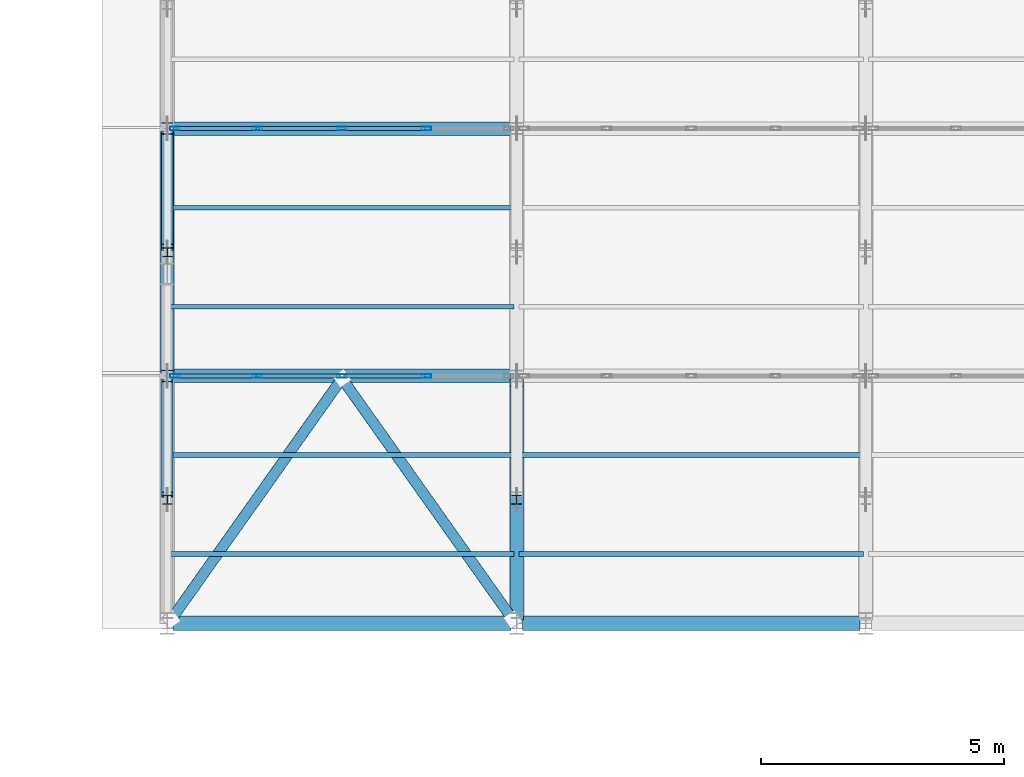
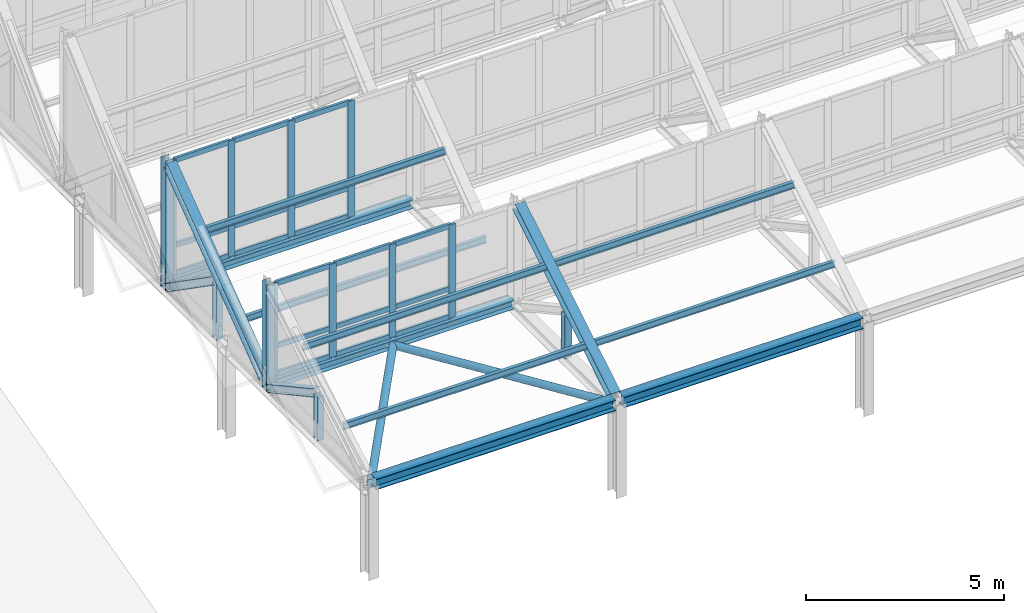
# One storey, part 23 of 157: 43 members, 4 beams, 2 elements without a shape of their own.
"""IFC4 building model written with IfcOpenShell, lengths in metres."""

from ifc_helpers import new_model, si_unit, direction, frame, origin, origin_2d, place, context, subcontext, project, spatial, hollow_rectangle, hollow_circle, i_section, extrude, material, material_profile, profile_set, type_object, element, aggregate, save


model = new_model("IFC4")

# Units and contexts
model_context = context("Model", 3, precision=1e-05, world=origin(), true_north=direction((0.0, 1.0)))
body_context = subcontext(model_context, "Body", "Model", "MODEL_VIEW")
ifc_project = project(units=[si_unit("LENGTHUNIT", "METRE"), si_unit("AREAUNIT", "SQUARE_METRE"), si_unit("VOLUMEUNIT", "CUBIC_METRE"), si_unit("PLANEANGLEUNIT", "RADIAN"), si_unit("MASSUNIT", "GRAM", prefix="KILO")], contexts=[model_context])

# Site, building, storey
site_placement = place(None, origin())
site = spatial("IfcSite", under=ifc_project, at=site_placement, CompositionType="ELEMENT")
building_placement = place(site_placement, origin())
building = spatial("IfcBuilding", under=site, at=building_placement, Name="Suanplinth Sawtooth Commons", CompositionType="ELEMENT")
storey_placement = place(building_placement, frame((0.0, 0.0, 9.0)))
storey = spatial("IfcBuildingStorey", under=building, at=storey_placement, Name="L02", CompositionType="ELEMENT", Elevation=9.0)

# Beams
ifc_material_1 = material(Name="Steel S355JR", Category="steel")
ifc_material_profile_1 = material_profile(ifc_material_1, i_section(OverallWidth=0.300048828125, OverallDepth=0.330078125, WebThickness=0.009521484375, FlangeThickness=0.0166015625, at=origin_2d()), Name="HEA 340")
ifc_profile_set_1 = profile_set([ifc_material_profile_1], Name="Steel S355JR")
beam_type_1 = type_object("IfcBeamType", Name="B-15", PredefinedType="USERDEFINED", material=ifc_profile_set_1)
for number, where, z_axis, x_axis, name in (
    (1, (64.919921875, 50.39990234375, 2.820068359375), (1.0, 0.0, 0.0), (0.0, 1.0, 0.0), "Sawtooth Valley Girder T1-B1"),
    (2, (72.1201171875, 50.39990234375, 2.820068359375), (1.0, 0.0, 0.0), (0.0, 1.0, 0.0), "Sawtooth Valley Girder T1-B2"),
):
    element("IfcBeam", number, at=place(storey_placement, frame(where, z_axis=z_axis, x_axis=x_axis)), inside=storey, type_object=beam_type_1, Name=name, ObjectType="GIRDER", PredefinedType="USERDEFINED", context=body_context, shape_type="SweptSolid", body=[
        extrude(i_section(OverallWidth=0.300048828125, OverallDepth=0.330078125, WebThickness=0.009521484375, FlangeThickness=0.0166015625, at=origin_2d()), origin(), (0.0, 0.0, 1.0), 6.9599609375),
    ])
ifc_material_profile_2 = material_profile(ifc_material_1, i_section(OverallWidth=0.280029296875, OverallDepth=0.27001953125, WebThickness=0.008056640625, FlangeThickness=0.012939453125, at=origin_2d()), Name="HEA 280")
ifc_profile_set_2 = profile_set([ifc_material_profile_2], Name="Steel S355JR")
beam_type_2 = type_object("IfcBeamType", Name="B-16", PredefinedType="USERDEFINED", material=ifc_profile_set_2)
for number, where, z_axis, x_axis, name in (
    (3, (64.919921875, 55.5, 2.820068359375), (1.0, 0.0, 0.0), (0.0, 1.0, 0.0), "Sawtooth Valley Girder T2-B1"),
    (4, (64.919921875, 60.60009765625, 2.820068359375), (1.0, 0.0, 0.0), (0.0, 1.0, 0.0), "Sawtooth Valley Girder T3-B1"),
):
    element("IfcBeam", number, at=place(storey_placement, frame(where, z_axis=z_axis, x_axis=x_axis)), inside=storey, type_object=beam_type_2, Name=name, ObjectType="GIRDER", PredefinedType="USERDEFINED", context=body_context, shape_type="SweptSolid", body=[
        extrude(i_section(OverallWidth=0.280029296875, OverallDepth=0.27001953125, WebThickness=0.008056640625, FlangeThickness=0.012939453125, at=origin_2d()), origin(), (0.0, 0.0, 1.0), 6.9599609375),
    ])

# Members
ifc_material_profile_3 = material_profile(ifc_material_1, i_section(OverallWidth=0.280029296875, OverallDepth=0.280029296875, WebThickness=0.010498046875, FlangeThickness=0.01806640625, at=origin_2d()), Name="HEB 280")
ifc_profile_set_3 = profile_set([ifc_material_profile_3], Name="Steel S355JR")
member_type_1 = type_object("IfcMemberType", Name="M-02", PredefinedType="CHORD", material=ifc_profile_set_3)
member_1_placement = place(storey_placement, frame((64.800048828125, 55.639892578125, 2.919921875), z_axis=(0.0, 0.799596436712, 0.600537707723), x_axis=(-1.0, 0.0, 0.0)))
element("IfcMember", 5, at=member_1_placement, inside=storey, type_object=member_type_1, Name="Sawtooth Truss T1 Top Chord 2", PredefinedType="CHORD", context=body_context, shape_type="SweptSolid", body=[
    extrude(i_section(OverallWidth=0.280029296875, OverallDepth=0.280029296875, WebThickness=0.010498046875, FlangeThickness=0.01806640625, at=origin_2d()), origin(), (0.0, 0.0, 1.0), 6.028076171875),
])
member_2_placement = place(storey_placement, frame((72.0, 50.5400390625, 2.919921875), z_axis=(0.0, 0.855283356021, 0.51816057445), x_axis=(-1.0, 0.0, 0.0)))
element("IfcMember", 6, at=member_2_placement, inside=storey, type_object=member_type_1, Name="Sawtooth Truss T2 Top Chord 1", PredefinedType="CHORD", context=body_context, shape_type="SweptSolid", body=[
    extrude(i_section(OverallWidth=0.280029296875, OverallDepth=0.280029296875, WebThickness=0.010498046875, FlangeThickness=0.01806640625, at=origin_2d()), origin(), (0.0, 0.0, 1.0), 5.6357421875),
])
ifc_material_profile_4 = material_profile(ifc_material_1, i_section(OverallWidth=0.239990234375, OverallDepth=0.22998046875, WebThickness=0.007568359375, FlangeThickness=0.011962890625, at=origin_2d()), Name="HEA 240")
ifc_profile_set_4 = profile_set([ifc_material_profile_4], Name="Steel S355JR")
member_type_2 = type_object("IfcMemberType", Name="M-03", PredefinedType="BRACE", material=ifc_profile_set_4)
member_3_placement = place(storey_placement, frame((64.800048828125, 53.050048828125, 4.02001953125), z_axis=(0.0, 0.878022125023, -0.478620045517), x_axis=(-1.0, 0.0, 0.0)))
element("IfcMember", 7, at=member_3_placement, inside=storey, type_object=member_type_2, Name="Sawtooth Truss T1 Web Diagonal 1", PredefinedType="BRACE", context=body_context, shape_type="SweptSolid", body=[
    extrude(i_section(OverallWidth=0.239990234375, OverallDepth=0.22998046875, WebThickness=0.007568359375, FlangeThickness=0.011962890625, at=origin_2d()), origin(), (0.0, 0.0, 1.0), 2.653564453125),
])
member_4_placement = place(storey_placement, frame((64.800048828125, 58.14990234375, 4.3701171875), z_axis=(0.0, 0.821038438566, -0.570872912649), x_axis=(-1.0, 0.0, 0.0)))
element("IfcMember", 8, at=member_4_placement, inside=storey, type_object=member_type_2, Name="Sawtooth Truss T1 Web Diagonal 2", PredefinedType="BRACE", context=body_context, shape_type="SweptSolid", body=[
    extrude(i_section(OverallWidth=0.239990234375, OverallDepth=0.22998046875, WebThickness=0.007568359375, FlangeThickness=0.011962890625, at=origin_2d()), origin(), (0.0, 0.0, 1.0), 2.837890625),
])
ifc_material_profile_5 = material_profile(ifc_material_1, i_section(OverallWidth=0.199951171875, OverallDepth=0.18994140625, WebThickness=0.006591796875, FlangeThickness=0.010009765625, at=origin_2d()), Name="HEA 200")
ifc_profile_set_5 = profile_set([ifc_material_profile_5], Name="Steel S355JR")
member_type_3 = type_object("IfcMemberType", Name="M-04", PredefinedType="BRACE", material=ifc_profile_set_5)
member_5_placement = place(storey_placement, frame((64.800048828125, 52.949951171875, 2.64990234375), z_axis=(0.0, 0.0, 1.0), x_axis=(1.0, 0.0, 0.0)))
element("IfcMember", 9, at=member_5_placement, inside=storey, type_object=member_type_3, Name="Sawtooth Truss T1 Mid Web Post 1", PredefinedType="BRACE", context=body_context, shape_type="SweptSolid", body=[
    extrude(i_section(OverallWidth=0.199951171875, OverallDepth=0.18994140625, WebThickness=0.006591796875, FlangeThickness=0.010009765625, at=origin_2d()), origin(), (0.0, 0.0, 1.0), 1.35009765625),
])
member_6_placement = place(storey_placement, frame((64.800048828125, 58.050048828125, 2.64990234375), z_axis=(0.0, 0.0, 1.0), x_axis=(1.0, 0.0, 0.0)))
element("IfcMember", 10, at=member_6_placement, inside=storey, type_object=member_type_3, Name="Sawtooth Truss T1 Mid Web Post 2", PredefinedType="BRACE", context=body_context, shape_type="SweptSolid", body=[
    extrude(i_section(OverallWidth=0.199951171875, OverallDepth=0.18994140625, WebThickness=0.006591796875, FlangeThickness=0.010009765625, at=origin_2d()), origin(), (0.0, 0.0, 1.0), 1.7001953125),
])
member_7_placement = place(storey_placement, frame((72.0, 52.949951171875, 2.64990234375), z_axis=(0.0, 0.0, 1.0), x_axis=(1.0, 0.0, 0.0)))
element("IfcMember", 11, at=member_7_placement, inside=storey, type_object=member_type_3, Name="Sawtooth Truss T2 Mid Web Post 1", PredefinedType="BRACE", context=body_context, shape_type="SweptSolid", body=[
    extrude(i_section(OverallWidth=0.199951171875, OverallDepth=0.18994140625, WebThickness=0.006591796875, FlangeThickness=0.010009765625, at=origin_2d()), origin(), (0.0, 0.0, 1.0), 1.35009765625),
])
ifc_material_profile_6 = material_profile(ifc_material_1, i_section(OverallWidth=0.239990234375, OverallDepth=0.239990234375, WebThickness=0.010009765625, FlangeThickness=0.01708984375, at=origin_2d()), Name="HEB 240")
ifc_profile_set_6 = profile_set([ifc_material_profile_6], Name="Steel S355JR")
member_type_4 = type_object("IfcMemberType", Name="M-05", PredefinedType="POST", material=ifc_profile_set_6)
member_8_placement = place(storey_placement, frame((64.800048828125, 55.5, 2.64990234375), z_axis=(0.0, 0.0, 1.0), x_axis=(1.0, 0.0, 0.0)))
element("IfcMember", 12, at=member_8_placement, inside=storey, type_object=member_type_4, Name="Sawtooth Truss T1 Clerestory Post 1", PredefinedType="POST", context=body_context, shape_type="SweptSolid", body=[
    extrude(i_section(OverallWidth=0.239990234375, OverallDepth=0.239990234375, WebThickness=0.010009765625, FlangeThickness=0.01708984375, at=origin_2d()), origin(), (0.0, 0.0, 1.0), 3.2900390625),
])
member_9_placement = place(storey_placement, frame((64.800048828125, 60.60009765625, 2.64990234375), z_axis=(0.0, 0.0, 1.0), x_axis=(1.0, 0.0, 0.0)))
element("IfcMember", 13, at=member_9_placement, inside=storey, type_object=member_type_4, Name="Sawtooth Truss T1 Clerestory Post 2", PredefinedType="POST", context=body_context, shape_type="SweptSolid", body=[
    extrude(i_section(OverallWidth=0.239990234375, OverallDepth=0.239990234375, WebThickness=0.010009765625, FlangeThickness=0.01708984375, at=origin_2d()), origin(), (0.0, 0.0, 1.0), 3.989990234375),
])
ifc_material_2 = material(Name="Steel SS400", Category="steel")
ifc_material_profile_7 = material_profile(ifc_material_2, i_section(OverallWidth=0.10009765625, OverallDepth=0.199951171875, WebThickness=0.005615234375, FlangeThickness=0.008544921875, at=origin_2d()), Name="IPE 200")
ifc_profile_set_7 = profile_set([ifc_material_profile_7], Name="Steel SS400")
member_type_5 = type_object("IfcMemberType", Name="M-06", PredefinedType="PURLIN", material=ifc_profile_set_7)
for number, where, z_axis, x_axis, name in (
    (14, (64.85009765625, 51.827880859375, 3.691162109375), (1.0, 0.0, 0.0), (0.0, 1.0, 0.0), "Sawtooth Roof Purlin T1-B1-P1"),
    (15, (64.85009765625, 53.867919921875, 4.89111328125), (1.0, 0.0, 0.0), (0.0, 1.0, 0.0), "Sawtooth Roof Purlin T1-B1-P2"),
    (16, (72.050048828125, 51.827880859375, 3.691162109375), (1.0, 0.0, 0.0), (0.0, 1.0, 0.0), "Sawtooth Roof Purlin T1-B2-P1"),
    (17, (72.050048828125, 53.867919921875, 4.89111328125), (1.0, 0.0, 0.0), (0.0, 1.0, 0.0), "Sawtooth Roof Purlin T1-B2-P2"),
    (18, (64.85009765625, 56.927978515625, 3.87353515625), (1.0, 0.0, 0.0), (0.0, 1.0, 0.0), "Sawtooth Roof Purlin T2-B1-P1"),
    (19, (64.85009765625, 58.968017578125, 5.353515625), (1.0, 0.0, 0.0), (0.0, 1.0, 0.0), "Sawtooth Roof Purlin T2-B1-P2"),
):
    element("IfcMember", number, at=place(storey_placement, frame(where, z_axis=z_axis, x_axis=x_axis)), inside=storey, type_object=member_type_5, Name=name, PredefinedType="PURLIN", context=body_context, shape_type="SweptSolid", body=[
        extrude(i_section(OverallWidth=0.10009765625, OverallDepth=0.199951171875, WebThickness=0.005615234375, FlangeThickness=0.008544921875, at=origin_2d()), origin(), (0.0, 0.0, 1.0), 7.099853515625),
    ])
ifc_material_profile_8 = material_profile(ifc_material_1, hollow_circle(Radius=0.109619140625, WallThickness=0.010009765625, at=origin_2d()), Name="CHS 219.1x10")
ifc_profile_set_8 = profile_set([ifc_material_profile_8], Name="Steel S355JR")
member_type_6 = type_object("IfcMemberType", Name="M-08", PredefinedType="BRACE", material=ifc_profile_set_8)
for number, where, z_axis, x_axis, name in (
    (20, (64.8798828125, 50.47998046875, 2.75), (0.577976187019, 0.816053630125, 0.0), (-0.816053630125, 0.577976187019, 0.0), "Sawtooth Roof Plan Brace B1-1"),
    (21, (71.919921875, 50.47998046875, 2.75), (-0.577976187019, 0.816053630125, 0.0), (-0.816053630125, -0.577976187019, 0.0), "Sawtooth Roof Plan Brace B1-2"),
):
    element("IfcMember", number, at=place(storey_placement, frame(where, z_axis=z_axis, x_axis=x_axis)), inside=storey, type_object=member_type_6, Name=name, PredefinedType="BRACE", context=body_context, shape_type="SweptSolid", body=[
        extrude(hollow_circle(Radius=0.109619140625, WallThickness=0.010009765625, at=origin_2d()), origin(), (0.0, 0.0, 1.0), 6.09033203125),
    ])

# Curtain wall, members
ifc_material_3 = material(Name="Anodized aluminium and low-E glazing", Category="aluminium")
curtain_wall_type = type_object("IfcCurtainWallType", Name="CW-03", PredefinedType="USERDEFINED", material=ifc_material_3)
curtain_wall_1_placement = place(storey_placement, origin())
curtain_wall_1 = element("IfcCurtainWall", 22, at=curtain_wall_1_placement, inside=storey, type_object=curtain_wall_type, Name="Curtain Wall CW-SAW-T1-B1", ObjectType="CURTAIN WALL", PredefinedType="USERDEFINED")
ifc_material_4 = material(Name="Anodized aluminium 6063-T6", Category="aluminium")
ifc_material_profile_9 = material_profile(ifc_material_4, hollow_rectangle(XDim=0.074951171875, YDim=0.199951171875, WallThickness=0.0048828125, at=origin_2d()), Name="ALU-MUL 75x200")
ifc_profile_set_9 = profile_set([ifc_material_profile_9], Name="Anodized aluminium 6063-T6")
member_type_7 = type_object("IfcMemberType", Name="M-14", PredefinedType="MULLION", material=ifc_profile_set_9)
member_10_placement = place(storey_placement, frame((64.95751953125, 55.5, 2.97998046875), z_axis=(0.0, 0.0, 1.0), x_axis=(0.0, 1.0, 0.0)))
member_10 = element("IfcMember", 23, at=member_10_placement, type_object=member_type_7, Name="CW-03 mullion 1", PredefinedType="MULLION", context=body_context, shape_type="SweptSolid", body=[
    extrude(hollow_rectangle(XDim=0.074951171875, YDim=0.199951171875, WallThickness=0.0048828125, at=origin_2d()), origin(), (0.0, 0.0, 1.0), 2.860107421875),
])
member_11_placement = place(storey_placement, frame((66.659912109375, 55.5, 2.97998046875), z_axis=(0.0, 0.0, 1.0), x_axis=(0.0, 1.0, 0.0)))
member_11 = element("IfcMember", 24, at=member_11_placement, type_object=member_type_7, Name="CW-03 mullion 2", PredefinedType="MULLION", context=body_context, shape_type="SweptSolid", body=[
    extrude(hollow_rectangle(XDim=0.074951171875, YDim=0.199951171875, WallThickness=0.0048828125, at=origin_2d()), origin(), (0.0, 0.0, 1.0), 2.860107421875),
])
member_12_placement = place(storey_placement, frame((68.39990234375, 55.5, 2.97998046875), z_axis=(0.0, 0.0, 1.0), x_axis=(0.0, 1.0, 0.0)))
member_12 = element("IfcMember", 25, at=member_12_placement, type_object=member_type_7, Name="CW-03 mullion 3", PredefinedType="MULLION", context=body_context, shape_type="SweptSolid", body=[
    extrude(hollow_rectangle(XDim=0.074951171875, YDim=0.199951171875, WallThickness=0.0048828125, at=origin_2d()), origin(), (0.0, 0.0, 1.0), 2.860107421875),
])
member_13_placement = place(storey_placement, frame((70.139892578125, 55.5, 2.97998046875), z_axis=(0.0, 0.0, 1.0), x_axis=(0.0, 1.0, 0.0)))
member_13 = element("IfcMember", 26, at=member_13_placement, type_object=member_type_7, Name="CW-03 mullion 4", PredefinedType="MULLION", context=body_context, shape_type="SweptSolid", body=[
    extrude(hollow_rectangle(XDim=0.074951171875, YDim=0.199951171875, WallThickness=0.0048828125, at=origin_2d()), origin(), (0.0, 0.0, 1.0), 2.860107421875),
])

curtain_wall_2_placement = place(storey_placement, origin())
curtain_wall_2 = element("IfcCurtainWall", 27, at=curtain_wall_2_placement, inside=storey, type_object=curtain_wall_type, Name="Curtain Wall CW-SAW-T2-B1", ObjectType="CURTAIN WALL", PredefinedType="USERDEFINED")
member_14_placement = place(storey_placement, frame((64.95751953125, 60.60009765625, 2.97998046875), z_axis=(0.0, 0.0, 1.0), x_axis=(0.0, 1.0, 0.0)))
member_14 = element("IfcMember", 28, at=member_14_placement, type_object=member_type_7, Name="CW-03 mullion 1", PredefinedType="MULLION", context=body_context, shape_type="SweptSolid", body=[
    extrude(hollow_rectangle(XDim=0.074951171875, YDim=0.199951171875, WallThickness=0.0048828125, at=origin_2d()), origin(), (0.0, 0.0, 1.0), 3.56005859375),
])
member_15_placement = place(storey_placement, frame((66.659912109375, 60.60009765625, 2.97998046875), z_axis=(0.0, 0.0, 1.0), x_axis=(0.0, 1.0, 0.0)))
member_15 = element("IfcMember", 29, at=member_15_placement, type_object=member_type_7, Name="CW-03 mullion 2", PredefinedType="MULLION", context=body_context, shape_type="SweptSolid", body=[
    extrude(hollow_rectangle(XDim=0.074951171875, YDim=0.199951171875, WallThickness=0.0048828125, at=origin_2d()), origin(), (0.0, 0.0, 1.0), 3.56005859375),
])
member_16_placement = place(storey_placement, frame((68.39990234375, 60.60009765625, 2.97998046875), z_axis=(0.0, 0.0, 1.0), x_axis=(0.0, 1.0, 0.0)))
member_16 = element("IfcMember", 30, at=member_16_placement, type_object=member_type_7, Name="CW-03 mullion 3", PredefinedType="MULLION", context=body_context, shape_type="SweptSolid", body=[
    extrude(hollow_rectangle(XDim=0.074951171875, YDim=0.199951171875, WallThickness=0.0048828125, at=origin_2d()), origin(), (0.0, 0.0, 1.0), 3.56005859375),
])
member_17_placement = place(storey_placement, frame((70.139892578125, 60.60009765625, 2.97998046875), z_axis=(0.0, 0.0, 1.0), x_axis=(0.0, 1.0, 0.0)))
member_17 = element("IfcMember", 31, at=member_17_placement, type_object=member_type_7, Name="CW-03 mullion 4", PredefinedType="MULLION", context=body_context, shape_type="SweptSolid", body=[
    extrude(hollow_rectangle(XDim=0.074951171875, YDim=0.199951171875, WallThickness=0.0048828125, at=origin_2d()), origin(), (0.0, 0.0, 1.0), 3.56005859375),
])

# Member
ifc_material_profile_10 = material_profile(ifc_material_4, hollow_rectangle(XDim=0.074951171875, YDim=0.14990234375, WallThickness=0.00439453125, at=origin_2d()), Name="ALU-TRN 75x150")
ifc_profile_set_10 = profile_set([ifc_material_profile_10], Name="Anodized aluminium 6063-T6")
member_type_8 = type_object("IfcMemberType", Name="M-16", PredefinedType="USERDEFINED", material=ifc_profile_set_10)
member_18_placement = place(storey_placement, frame((64.9951171875, 55.5, 3.017578125), z_axis=(1.0, 0.0, 0.0), x_axis=(0.0, 1.0, 0.0)))
member_18 = element("IfcMember", 32, at=member_18_placement, type_object=member_type_8, Name="CW-03 transom 1.1", ObjectType="TRANSOM", PredefinedType="USERDEFINED", context=body_context, shape_type="SweptSolid", body=[
    extrude(hollow_rectangle(XDim=0.074951171875, YDim=0.14990234375, WallThickness=0.00439453125, at=origin_2d()), origin(), (0.0, 0.0, 1.0), 1.62744140625),
])

member_19_placement = place(storey_placement, frame((64.9951171875, 55.5, 3.8798828125), z_axis=(1.0, 0.0, 0.0), x_axis=(0.0, 1.0, 0.0)))
member_19 = element("IfcMember", 33, at=member_19_placement, type_object=member_type_8, Name="CW-03 transom 1.2", ObjectType="TRANSOM", PredefinedType="USERDEFINED", context=body_context, shape_type="SweptSolid", body=[
    extrude(hollow_rectangle(XDim=0.074951171875, YDim=0.14990234375, WallThickness=0.00439453125, at=origin_2d()), origin(), (0.0, 0.0, 1.0), 1.62744140625),
])

member_20_placement = place(storey_placement, frame((64.9951171875, 55.5, 5.802490234375), z_axis=(1.0, 0.0, 0.0), x_axis=(0.0, 1.0, 0.0)))
member_20 = element("IfcMember", 34, at=member_20_placement, type_object=member_type_8, Name="CW-03 transom 1.3", ObjectType="TRANSOM", PredefinedType="USERDEFINED", context=body_context, shape_type="SweptSolid", body=[
    extrude(hollow_rectangle(XDim=0.074951171875, YDim=0.14990234375, WallThickness=0.00439453125, at=origin_2d()), origin(), (0.0, 0.0, 1.0), 1.62744140625),
])

member_21_placement = place(storey_placement, frame((66.697509765625, 55.5, 3.017578125), z_axis=(1.0, 0.0, 0.0), x_axis=(0.0, 1.0, 0.0)))
member_21 = element("IfcMember", 35, at=member_21_placement, type_object=member_type_8, Name="CW-03 transom 2.1", ObjectType="TRANSOM", PredefinedType="USERDEFINED", context=body_context, shape_type="SweptSolid", body=[
    extrude(hollow_rectangle(XDim=0.074951171875, YDim=0.14990234375, WallThickness=0.00439453125, at=origin_2d()), origin(), (0.0, 0.0, 1.0), 1.6650390625),
])

member_22_placement = place(storey_placement, frame((66.697509765625, 55.5, 3.8798828125), z_axis=(1.0, 0.0, 0.0), x_axis=(0.0, 1.0, 0.0)))
member_22 = element("IfcMember", 36, at=member_22_placement, type_object=member_type_8, Name="CW-03 transom 2.2", ObjectType="TRANSOM", PredefinedType="USERDEFINED", context=body_context, shape_type="SweptSolid", body=[
    extrude(hollow_rectangle(XDim=0.074951171875, YDim=0.14990234375, WallThickness=0.00439453125, at=origin_2d()), origin(), (0.0, 0.0, 1.0), 1.6650390625),
])

member_23_placement = place(storey_placement, frame((66.697509765625, 55.5, 5.802490234375), z_axis=(1.0, 0.0, 0.0), x_axis=(0.0, 1.0, 0.0)))
member_23 = element("IfcMember", 37, at=member_23_placement, type_object=member_type_8, Name="CW-03 transom 2.3", ObjectType="TRANSOM", PredefinedType="USERDEFINED", context=body_context, shape_type="SweptSolid", body=[
    extrude(hollow_rectangle(XDim=0.074951171875, YDim=0.14990234375, WallThickness=0.00439453125, at=origin_2d()), origin(), (0.0, 0.0, 1.0), 1.6650390625),
])

member_24_placement = place(storey_placement, frame((68.4375, 55.5, 3.017578125), z_axis=(1.0, 0.0, 0.0), x_axis=(0.0, 1.0, 0.0)))
member_24 = element("IfcMember", 38, at=member_24_placement, type_object=member_type_8, Name="CW-03 transom 3.1", ObjectType="TRANSOM", PredefinedType="USERDEFINED", context=body_context, shape_type="SweptSolid", body=[
    extrude(hollow_rectangle(XDim=0.074951171875, YDim=0.14990234375, WallThickness=0.00439453125, at=origin_2d()), origin(), (0.0, 0.0, 1.0), 1.6650390625),
])

member_25_placement = place(storey_placement, frame((68.4375, 55.5, 3.8798828125), z_axis=(1.0, 0.0, 0.0), x_axis=(0.0, 1.0, 0.0)))
member_25 = element("IfcMember", 39, at=member_25_placement, type_object=member_type_8, Name="CW-03 transom 3.2", ObjectType="TRANSOM", PredefinedType="USERDEFINED", context=body_context, shape_type="SweptSolid", body=[
    extrude(hollow_rectangle(XDim=0.074951171875, YDim=0.14990234375, WallThickness=0.00439453125, at=origin_2d()), origin(), (0.0, 0.0, 1.0), 1.6650390625),
])

member_26_placement = place(storey_placement, frame((68.4375, 55.5, 5.802490234375), z_axis=(1.0, 0.0, 0.0), x_axis=(0.0, 1.0, 0.0)))
member_26 = element("IfcMember", 40, at=member_26_placement, type_object=member_type_8, Name="CW-03 transom 3.3", ObjectType="TRANSOM", PredefinedType="USERDEFINED", context=body_context, shape_type="SweptSolid", body=[
    extrude(hollow_rectangle(XDim=0.074951171875, YDim=0.14990234375, WallThickness=0.00439453125, at=origin_2d()), origin(), (0.0, 0.0, 1.0), 1.6650390625),
])

aggregate(curtain_wall_1, [member_10, member_11, member_12, member_13, member_18, member_19, member_20, member_21, member_22, member_23, member_24, member_25, member_26])

member_27_placement = place(storey_placement, frame((64.9951171875, 60.60009765625, 3.017578125), z_axis=(1.0, 0.0, 0.0), x_axis=(0.0, 1.0, 0.0)))
member_27 = element("IfcMember", 41, at=member_27_placement, type_object=member_type_8, Name="CW-03 transom 1.1", ObjectType="TRANSOM", PredefinedType="USERDEFINED", context=body_context, shape_type="SweptSolid", body=[
    extrude(hollow_rectangle(XDim=0.074951171875, YDim=0.14990234375, WallThickness=0.00439453125, at=origin_2d()), origin(), (0.0, 0.0, 1.0), 1.62744140625),
])

member_28_placement = place(storey_placement, frame((64.9951171875, 60.60009765625, 3.8798828125), z_axis=(1.0, 0.0, 0.0), x_axis=(0.0, 1.0, 0.0)))
member_28 = element("IfcMember", 42, at=member_28_placement, type_object=member_type_8, Name="CW-03 transom 1.2", ObjectType="TRANSOM", PredefinedType="USERDEFINED", context=body_context, shape_type="SweptSolid", body=[
    extrude(hollow_rectangle(XDim=0.074951171875, YDim=0.14990234375, WallThickness=0.00439453125, at=origin_2d()), origin(), (0.0, 0.0, 1.0), 1.62744140625),
])

member_29_placement = place(storey_placement, frame((64.9951171875, 60.60009765625, 6.50244140625), z_axis=(1.0, 0.0, 0.0), x_axis=(0.0, 1.0, 0.0)))
member_29 = element("IfcMember", 43, at=member_29_placement, type_object=member_type_8, Name="CW-03 transom 1.3", ObjectType="TRANSOM", PredefinedType="USERDEFINED", context=body_context, shape_type="SweptSolid", body=[
    extrude(hollow_rectangle(XDim=0.074951171875, YDim=0.14990234375, WallThickness=0.00439453125, at=origin_2d()), origin(), (0.0, 0.0, 1.0), 1.62744140625),
])

member_30_placement = place(storey_placement, frame((66.697509765625, 60.60009765625, 3.017578125), z_axis=(1.0, 0.0, 0.0), x_axis=(0.0, 1.0, 0.0)))
member_30 = element("IfcMember", 44, at=member_30_placement, type_object=member_type_8, Name="CW-03 transom 2.1", ObjectType="TRANSOM", PredefinedType="USERDEFINED", context=body_context, shape_type="SweptSolid", body=[
    extrude(hollow_rectangle(XDim=0.074951171875, YDim=0.14990234375, WallThickness=0.00439453125, at=origin_2d()), origin(), (0.0, 0.0, 1.0), 1.6650390625),
])

member_31_placement = place(storey_placement, frame((66.697509765625, 60.60009765625, 3.8798828125), z_axis=(1.0, 0.0, 0.0), x_axis=(0.0, 1.0, 0.0)))
member_31 = element("IfcMember", 45, at=member_31_placement, type_object=member_type_8, Name="CW-03 transom 2.2", ObjectType="TRANSOM", PredefinedType="USERDEFINED", context=body_context, shape_type="SweptSolid", body=[
    extrude(hollow_rectangle(XDim=0.074951171875, YDim=0.14990234375, WallThickness=0.00439453125, at=origin_2d()), origin(), (0.0, 0.0, 1.0), 1.6650390625),
])

member_32_placement = place(storey_placement, frame((66.697509765625, 60.60009765625, 6.50244140625), z_axis=(1.0, 0.0, 0.0), x_axis=(0.0, 1.0, 0.0)))
member_32 = element("IfcMember", 46, at=member_32_placement, type_object=member_type_8, Name="CW-03 transom 2.3", ObjectType="TRANSOM", PredefinedType="USERDEFINED", context=body_context, shape_type="SweptSolid", body=[
    extrude(hollow_rectangle(XDim=0.074951171875, YDim=0.14990234375, WallThickness=0.00439453125, at=origin_2d()), origin(), (0.0, 0.0, 1.0), 1.6650390625),
])

member_33_placement = place(storey_placement, frame((68.4375, 60.60009765625, 3.017578125), z_axis=(1.0, 0.0, 0.0), x_axis=(0.0, 1.0, 0.0)))
member_33 = element("IfcMember", 47, at=member_33_placement, type_object=member_type_8, Name="CW-03 transom 3.1", ObjectType="TRANSOM", PredefinedType="USERDEFINED", context=body_context, shape_type="SweptSolid", body=[
    extrude(hollow_rectangle(XDim=0.074951171875, YDim=0.14990234375, WallThickness=0.00439453125, at=origin_2d()), origin(), (0.0, 0.0, 1.0), 1.6650390625),
])

member_34_placement = place(storey_placement, frame((68.4375, 60.60009765625, 3.8798828125), z_axis=(1.0, 0.0, 0.0), x_axis=(0.0, 1.0, 0.0)))
member_34 = element("IfcMember", 48, at=member_34_placement, type_object=member_type_8, Name="CW-03 transom 3.2", ObjectType="TRANSOM", PredefinedType="USERDEFINED", context=body_context, shape_type="SweptSolid", body=[
    extrude(hollow_rectangle(XDim=0.074951171875, YDim=0.14990234375, WallThickness=0.00439453125, at=origin_2d()), origin(), (0.0, 0.0, 1.0), 1.6650390625),
])

member_35_placement = place(storey_placement, frame((68.4375, 60.60009765625, 6.50244140625), z_axis=(1.0, 0.0, 0.0), x_axis=(0.0, 1.0, 0.0)))
member_35 = element("IfcMember", 49, at=member_35_placement, type_object=member_type_8, Name="CW-03 transom 3.3", ObjectType="TRANSOM", PredefinedType="USERDEFINED", context=body_context, shape_type="SweptSolid", body=[
    extrude(hollow_rectangle(XDim=0.074951171875, YDim=0.14990234375, WallThickness=0.00439453125, at=origin_2d()), origin(), (0.0, 0.0, 1.0), 1.6650390625),
])

aggregate(curtain_wall_2, [member_14, member_15, member_16, member_17, member_27, member_28, member_29, member_30, member_31, member_32, member_33, member_34, member_35])

save(model, "model.ifc")
